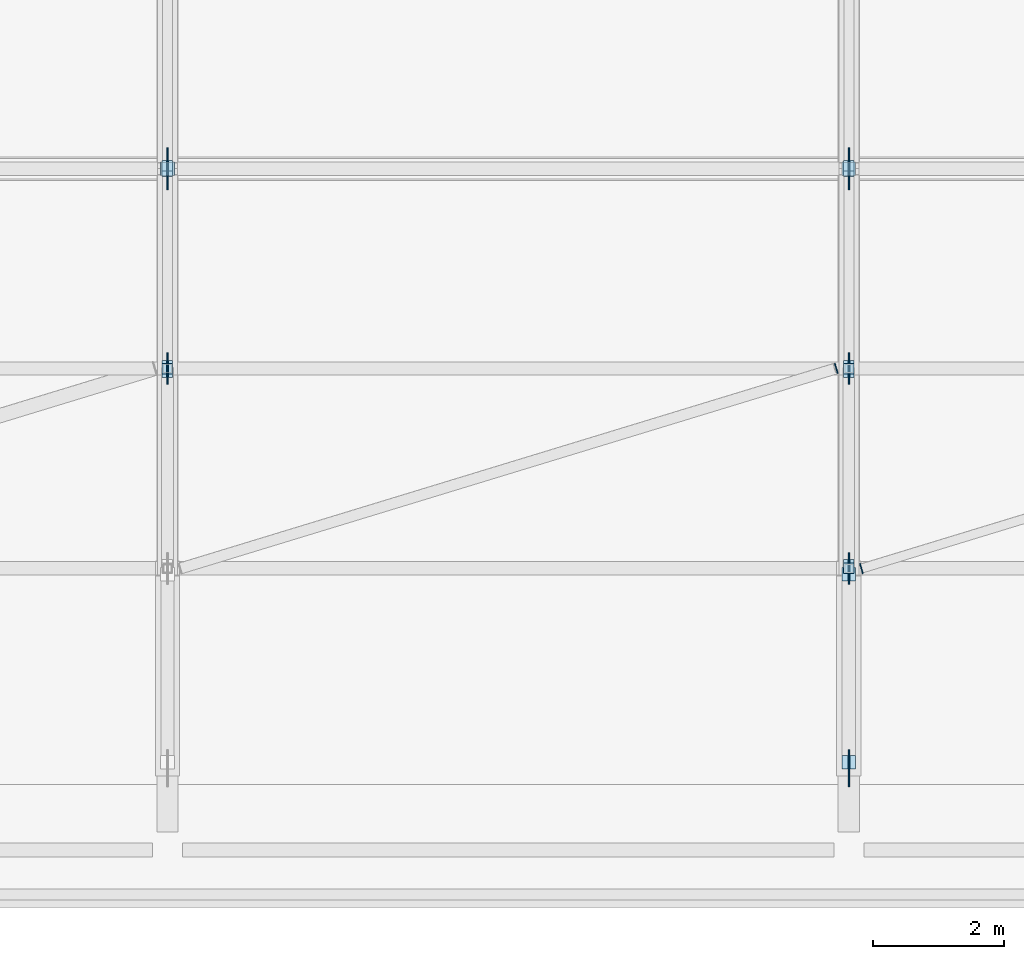
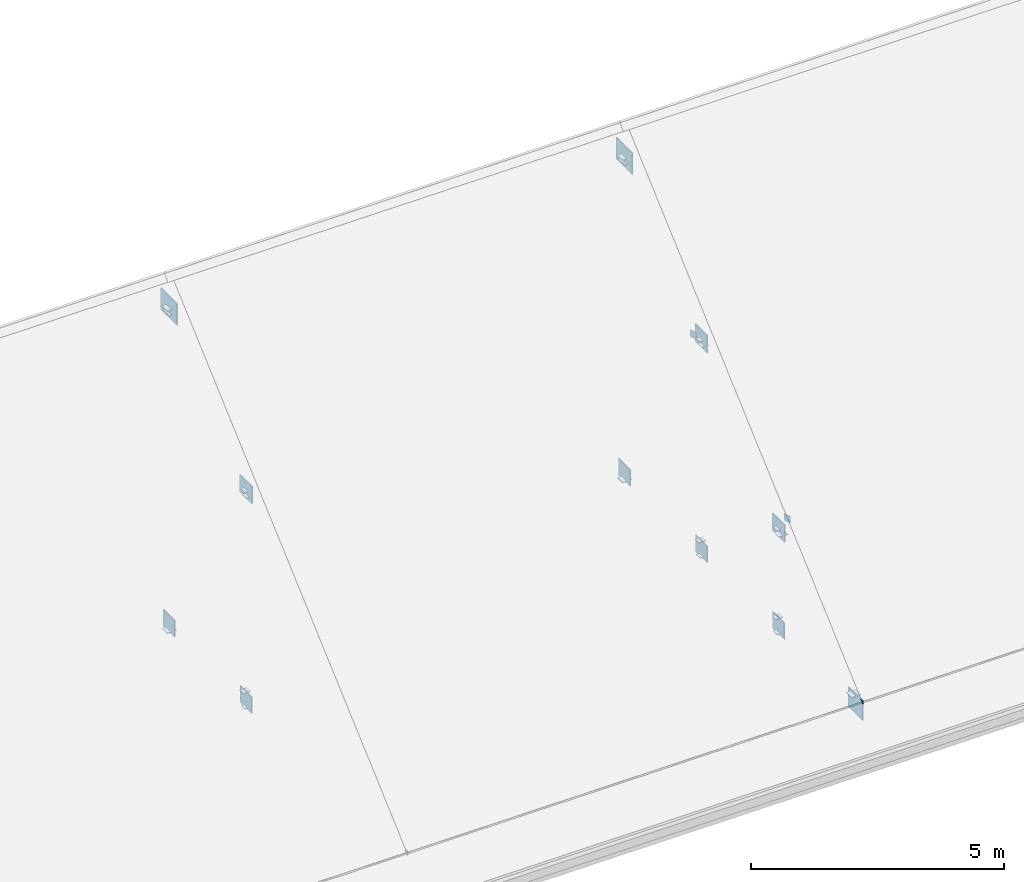
# One storey, part 50 of 86: 34 plates.
"""IFC4 building model written with IfcOpenShell, lengths in metres."""

from ifc_helpers import new_model, si_unit, derived_unit, direction, frame, origin, origin_2d, place, context, subcontext, project, spatial, rectangle, extrude, material, layer, layer_set, type_object, element, save


model = new_model("IFC4")

# Units and contexts
model_context = context("Model", 3, precision=1e-05, world=origin(), true_north=direction((0.0, 1.0)))
body_context = subcontext(model_context, "Body", "Model", "MODEL_VIEW")
ifc_project = project(units=[si_unit("LENGTHUNIT", "METRE"), si_unit("AREAUNIT", "SQUARE_METRE"), si_unit("VOLUMEUNIT", "CUBIC_METRE"), si_unit("PLANEANGLEUNIT", "RADIAN"), si_unit("MASSUNIT", "GRAM", prefix="KILO"), derived_unit("THERMALTRANSMITTANCEUNIT", [(si_unit("POWERUNIT", "WATT"), 1), (si_unit("LENGTHUNIT", "METRE"), -2), (si_unit("THERMODYNAMICTEMPERATUREUNIT", "KELVIN"), -1)])], contexts=[model_context])

# Site, building, storey
site_placement = place(None, origin())
site = spatial("IfcSite", under=ifc_project, at=site_placement, CompositionType="ELEMENT")
building_placement = place(site_placement, origin())
building = spatial("IfcBuilding", under=site, at=building_placement, Name="Braskholm Square Health Centre", CompositionType="ELEMENT")
storey_placement = place(building_placement, frame((0.0, 0.0, 13.5)))
storey = spatial("IfcBuildingStorey", under=building, at=storey_placement, Name="L04", CompositionType="ELEMENT", Elevation=13.5)

# Plates
ifc_material = material(Name="Steel ASTM A572 Grade 50", Category="steel")
ifc_layer_1 = layer(ifc_material, 0.01611328125)
ifc_layer_set_1 = layer_set([ifc_layer_1], Name="Steel ASTM A572 Grade 50")
plate_type_1 = type_object("IfcPlateType", Name="CapPlateHSS152TN8", PredefinedType="USERDEFINED", material=ifc_layer_set_1)
for number, where, z_axis, x_axis, name in (
    (1, (99.60009765625, 94.550048828125, -0.2861328125), (0.0, 0.0, 1.0), (1.0, 0.0, 0.0), "Hollow section end cap plate 0173"),
    (2, (99.60009765625, 94.550048828125, 4.941162109375), (0.0, 0.0, 1.0), (1.0, 0.0, 0.0), "Hollow section end cap plate 0174"),
    (3, (99.60009765625, 94.490966796875, 4.837890625), (0.0, 0.0, 1.0), (1.0, 0.0, 0.0), "Hollow section end cap plate 0184"),
    (4, (99.60009765625, 94.592041015625, 0.055908203125), (0.0, 0.0, 1.0), (1.0, 0.0, 0.0), "Hollow section end cap plate 0185"),
    (5, (99.60009765625, 97.55810546875, 7.387939453125), (0.0, 0.0, 1.0), (1.0, 0.0, 0.0), "Hollow section end cap plate 0186"),
    (6, (99.60009765625, 97.64208984375, 7.387939453125), (0.0, 0.0, 1.0), (1.0, 0.0, 0.0), "Hollow section end cap plate 0188"),
    (7, (110.0, 91.5, -0.2861328125), (0.0, 0.0, 1.0), (1.0, 0.0, 0.0), "Hollow section end cap plate 0205"),
    (8, (110.0, 91.5, 2.221923828125), (0.0, 0.0, 1.0), (1.0, 0.0, 0.0), "Hollow section end cap plate 0206"),
    (9, (110.0, 94.550048828125, -0.2861328125), (0.0, 0.0, 1.0), (1.0, 0.0, 0.0), "Hollow section end cap plate 0207"),
    (10, (110.0, 94.550048828125, 4.941162109375), (0.0, 0.0, 1.0), (1.0, 0.0, 0.0), "Hollow section end cap plate 0208"),
    (11, (110.0, 91.55908203125, 0.046875), (0.0, 0.0, 1.0), (1.0, 0.0, 0.0), "Hollow section end cap plate 0217"),
    (12, (110.0, 94.490966796875, 4.837890625), (0.0, 0.0, 1.0), (1.0, 0.0, 0.0), "Hollow section end cap plate 0218"),
    (13, (110.0, 94.592041015625, 0.055908203125), (0.0, 0.0, 1.0), (1.0, 0.0, 0.0), "Hollow section end cap plate 0219"),
    (14, (110.0, 97.55810546875, 7.387939453125), (0.0, 0.0, 1.0), (1.0, 0.0, 0.0), "Hollow section end cap plate 0220"),
    (15, (110.0, 97.64208984375, 7.387939453125), (0.0, 0.0, 1.0), (1.0, 0.0, 0.0), "Hollow section end cap plate 0222"),
):
    element("IfcPlate", number, at=place(storey_placement, frame(where, z_axis=z_axis, x_axis=x_axis)), inside=storey, type_object=plate_type_1, Name=name, ObjectType="CAP_PLATE", PredefinedType="USERDEFINED", context=body_context, shape_type="SweptSolid", body=[
        extrude(rectangle(XDim=0.159912109375, YDim=0.159912109375, at=origin_2d()), origin(), (0.0, 0.0, 1.0), 0.01611328125),
    ])
for number, where, z_axis, x_axis, name in (
    (16, (109.80810546875, 94.552001953125, 5.041015625), (0.0, 0.0, 1.0), (0.956498453883, 0.291737395134, 0.0), "Hollow section end cap plate 0314"),
    (17, (110.19189453125, 91.498046875, 2.322265625), (0.0, 0.0, 1.0), (0.956498453883, 0.291737395134, 0.0), "Hollow section end cap plate 0321"),
):
    element("IfcPlate", number, at=place(storey_placement, frame(where, z_axis=z_axis, x_axis=x_axis)), inside=storey, type_object=plate_type_1, Name=name, ObjectType="CAP_PLATE", PredefinedType="USERDEFINED", context=body_context, shape_type="SweptSolid", body=[
        extrude(rectangle(XDim=0.01611328125, YDim=0.159912109375, at=origin_2d()), origin(), (0.0, 0.0, 1.0), 0.159912109375),
    ])
ifc_layer_2 = layer(ifc_material, 0.01611328125)
ifc_layer_set_2 = layer_set([ifc_layer_2], Name="Steel ASTM A572 Grade 50")
plate_type_2 = type_object("IfcPlateType", Name="CapPlateHSS203TN6", PredefinedType="USERDEFINED", material=ifc_layer_set_2)
for number, where, z_axis, x_axis, name in (
    (18, (99.60009765625, 97.60009765625, -0.2861328125), (0.0, 0.0, 1.0), (1.0, 0.0, 0.0), "Hollow section end cap plate 0175"),
    (19, (99.60009765625, 97.60009765625, 7.5), (0.0, 0.0, 1.0), (1.0, 0.0, 0.0), "Hollow section end cap plate 0176"),
    (20, (110.0, 97.60009765625, -0.2861328125), (0.0, 0.0, 1.0), (1.0, 0.0, 0.0), "Hollow section end cap plate 0209"),
    (21, (110.0, 97.60009765625, 7.5), (0.0, 0.0, 1.0), (1.0, 0.0, 0.0), "Hollow section end cap plate 0210"),
    (22, (110.0, 88.5400390625, 0.017822265625), (0.0, 0.0, 1.0), (1.0, 0.0, 0.0), "Hollow section end cap plate 0215"),
    (23, (110.0, 91.409912109375, 2.14794921875), (0.0, 0.0, 1.0), (1.0, 0.0, 0.0), "Hollow section end cap plate 0216"),
):
    element("IfcPlate", number, at=place(storey_placement, frame(where, z_axis=z_axis, x_axis=x_axis)), inside=storey, type_object=plate_type_2, Name=name, ObjectType="CAP_PLATE", PredefinedType="USERDEFINED", context=body_context, shape_type="SweptSolid", body=[
        extrude(rectangle(XDim=0.2099609375, YDim=0.2099609375, at=origin_2d()), origin(), (0.0, 0.0, 1.0), 0.01611328125),
    ])
ifc_layer_3 = layer(ifc_material, 0.02001953125)
ifc_layer_set_3 = layer_set([ifc_layer_3], Name="Steel ASTM A572 Grade 50")
plate_type_3 = type_object("IfcPlateType", Name="NodeGussetBottomPanelTN3", PredefinedType="USERDEFINED", material=ifc_layer_set_3)
for number, where, z_axis, x_axis, name in (
    (24, (99.60009765625, 94.550048828125, -0.320068359375), (0.0, 0.0, 1.0), (1.0, 0.0, 0.0), "Truss node gusset plate 0197"),
    (25, (99.60009765625, 97.60009765625, -0.320068359375), (0.0, 0.0, 1.0), (1.0, 0.0, 0.0), "Truss node gusset plate 0198"),
    (26, (110.0, 91.5, -0.320068359375), (0.0, 0.0, 1.0), (1.0, 0.0, 0.0), "Truss node gusset plate 0230"),
    (27, (110.0, 94.550048828125, -0.320068359375), (0.0, 0.0, 1.0), (1.0, 0.0, 0.0), "Truss node gusset plate 0231"),
    (28, (110.0, 97.60009765625, -0.320068359375), (0.0, 0.0, 1.0), (1.0, 0.0, 0.0), "Truss node gusset plate 0232"),
):
    element("IfcPlate", number, at=place(storey_placement, frame(where, z_axis=z_axis, x_axis=x_axis)), inside=storey, type_object=plate_type_3, Name=name, ObjectType="GUSSET_PLATE", PredefinedType="USERDEFINED", context=body_context, shape_type="SweptSolid", body=[
        extrude(rectangle(XDim=0.02001953125, YDim=0.4599609375, at=origin_2d()), origin(), (0.0, 0.0, 1.0), 0.39990234375),
    ])
ifc_layer_4 = layer(ifc_material, 0.02392578125)
ifc_layer_set_4 = layer_set([ifc_layer_4], Name="Steel ASTM A572 Grade 50")
plate_type_4 = type_object("IfcPlateType", Name="NodeGussetHeelTN1", PredefinedType="USERDEFINED", material=ifc_layer_set_4)
plate_placement = place(storey_placement, frame((110.0, 88.449951171875, -0.39990234375), z_axis=(0.0, 0.0, 1.0), x_axis=(1.0, 0.0, 0.0)))
element("IfcPlate", 29, at=plate_placement, inside=storey, type_object=plate_type_4, Name="Truss node gusset plate 0227", ObjectType="GUSSET_PLATE", PredefinedType="USERDEFINED", context=body_context, shape_type="SweptSolid", body=[
    extrude(rectangle(XDim=0.02392578125, YDim=0.56005859375, at=origin_2d()), origin(), (0.0, 0.0, 1.0), 0.47998046875),
])
ifc_layer_5 = layer(ifc_material, 0.02392578125)
ifc_layer_set_5 = layer_set([ifc_layer_5], Name="Steel ASTM A572 Grade 50")
plate_type_5 = type_object("IfcPlateType", Name="NodeGussetRidgeTN2", PredefinedType="USERDEFINED", material=ifc_layer_set_5)
for number, where, z_axis, x_axis, name in (
    (30, (99.60009765625, 97.60009765625, 7.260009765625), (0.0, 0.0, 1.0), (1.0, 0.0, 0.0), "Truss node gusset plate 0195"),
    (31, (110.0, 97.60009765625, 7.260009765625), (0.0, 0.0, 1.0), (1.0, 0.0, 0.0), "Truss node gusset plate 0229"),
):
    element("IfcPlate", number, at=place(storey_placement, frame(where, z_axis=z_axis, x_axis=x_axis)), inside=storey, type_object=plate_type_5, Name=name, ObjectType="GUSSET_PLATE", PredefinedType="USERDEFINED", context=body_context, shape_type="SweptSolid", body=[
        extrude(rectangle(XDim=0.02392578125, YDim=0.639892578125, at=origin_2d()), origin(), (0.0, 0.0, 1.0), 0.52001953125),
    ])
ifc_layer_6 = layer(ifc_material, 0.02197265625)
ifc_layer_set_6 = layer_set([ifc_layer_6], Name="Steel ASTM A572 Grade 50")
plate_type_6 = type_object("IfcPlateType", Name="NodeGussetTopPanelTN4", PredefinedType="USERDEFINED", material=ifc_layer_set_6)
for number, where, z_axis, x_axis, name in (
    (32, (99.60009765625, 94.550048828125, 4.7509765625), (0.0, 0.0, 1.0), (1.0, 0.0, 0.0), "Truss node gusset plate 0202"),
    (33, (110.0, 91.5, 2.031982421875), (0.0, 0.0, 1.0), (1.0, 0.0, 0.0), "Truss node gusset plate 0235"),
    (34, (110.0, 94.550048828125, 4.7509765625), (0.0, 0.0, 1.0), (1.0, 0.0, 0.0), "Truss node gusset plate 0236"),
):
    element("IfcPlate", number, at=place(storey_placement, frame(where, z_axis=z_axis, x_axis=x_axis)), inside=storey, type_object=plate_type_6, Name=name, ObjectType="GUSSET_PLATE", PredefinedType="USERDEFINED", context=body_context, shape_type="SweptSolid", body=[
        extrude(rectangle(XDim=0.02197265625, YDim=0.47998046875, at=origin_2d()), origin(), (0.0, 0.0, 1.0), 0.419921875),
    ])

save(model, "model.ifc")
